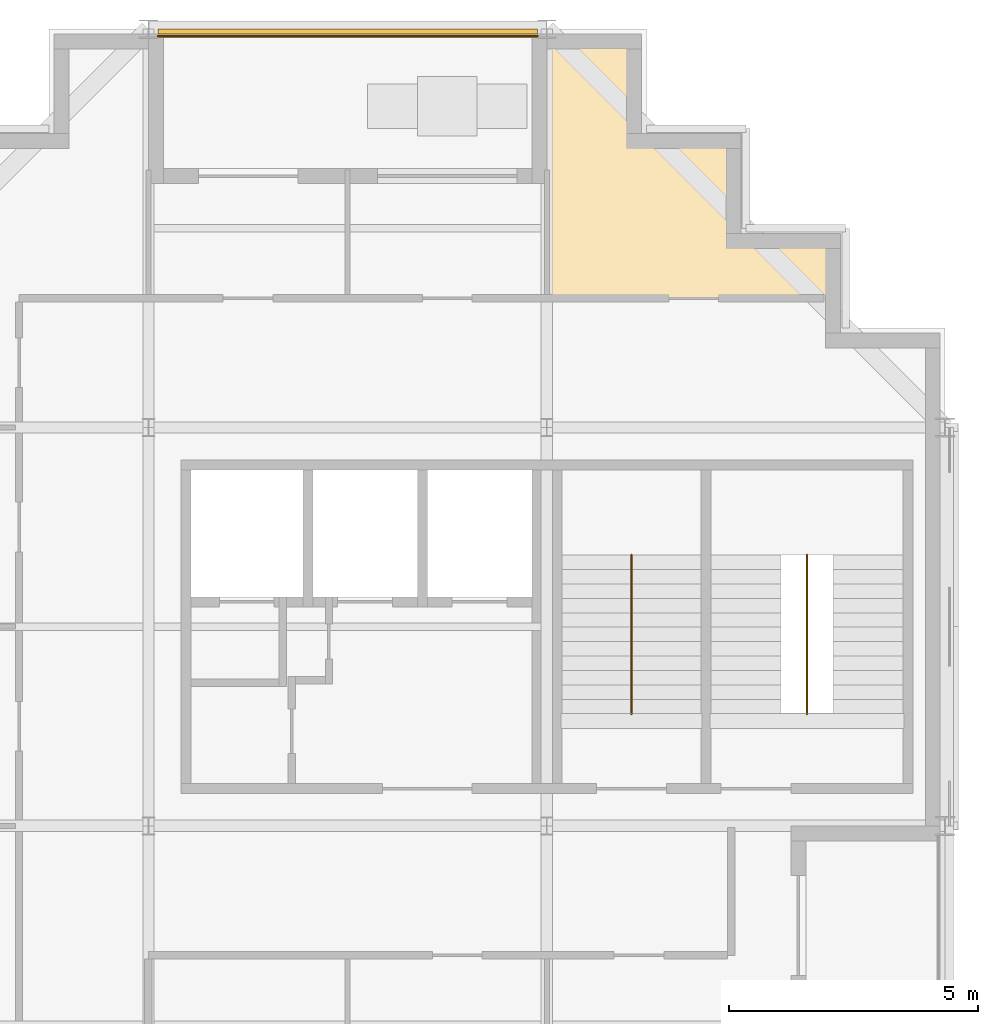
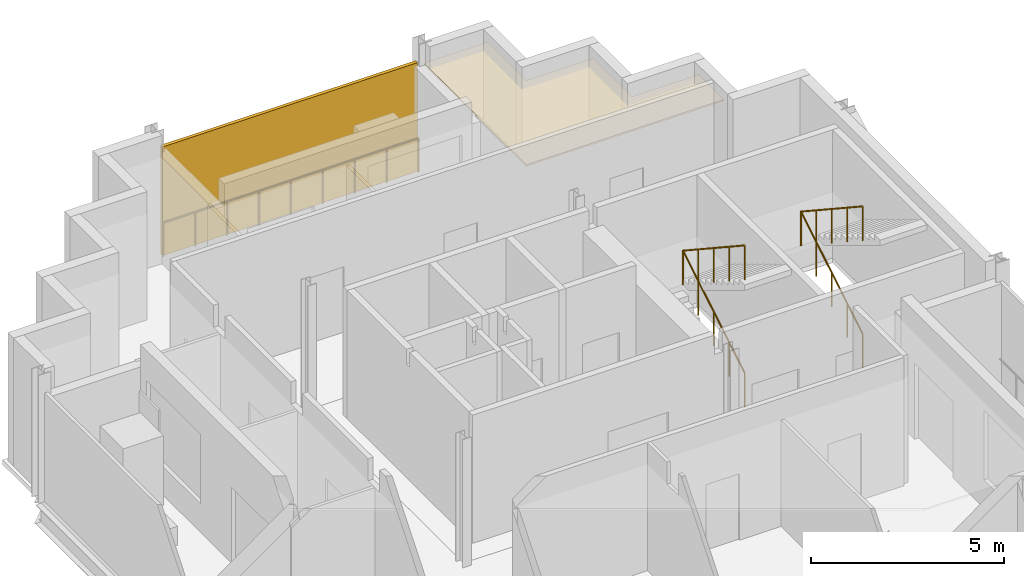
# One storey, part 12 of 13: 3 railings, 1 covering, 1 shading device.
"""IFC4 building model written with IfcOpenShell, lengths in metres."""

from ifc_helpers import new_model, si_unit, direction, frame, origin, origin_2d, place, context, subcontext, project, spatial, polyline, rectangle, circle, outline, extrude, material, layer, layer_set, type_object, element, save


model = new_model("IFC4")

# Units and contexts
model_context = context("Model", 3, precision=1e-05, world=origin(), true_north=direction((0.0, 1.0)))
body_context = subcontext(model_context, "Body", "Model", "MODEL_VIEW")
ifc_project = project(units=[si_unit("LENGTHUNIT", "METRE"), si_unit("AREAUNIT", "SQUARE_METRE"), si_unit("VOLUMEUNIT", "CUBIC_METRE"), si_unit("PLANEANGLEUNIT", "RADIAN"), si_unit("MASSUNIT", "GRAM", prefix="KILO")], contexts=[model_context])

# Site, building, storey
site_placement = place(None, origin())
site = spatial("IfcSite", under=ifc_project, at=site_placement, CompositionType="ELEMENT")
building_placement = place(site_placement, origin())
building = spatial("IfcBuilding", under=site, at=building_placement, Name="Immortelle Media Tower", CompositionType="ELEMENT")
storey_placement = place(building_placement, frame((0.0, 0.0, 174.60009765625)))
storey = spatial("IfcBuildingStorey", under=building, at=storey_placement, Name="L36", CompositionType="ELEMENT", Elevation=174.60009765625)

# Railing
ifc_material_1 = material(Name="Powder-coated aluminium fretwork panel, laminated glass backing", Category="aluminium")
railing_type_1 = type_object("IfcRailingType", Name="Fretwork balustrade 1100", PredefinedType="BALUSTRADE", material=ifc_material_1)
railing_placement = place(storey_placement, frame((15.8134765625, 47.860107421875, 0.0)))
element("IfcRailing", 1, at=railing_placement, inside=storey, type_object=railing_type_1, Name="Fretwork balustrade L36 N0", PredefinedType="BALUSTRADE", context=body_context, shape_type="SweptSolid", body=[
    extrude(circle(Radius=0.02490234375, at=origin_2d()), frame((0.0, 0.0, 1.0751953125), z_axis=(-1.0, 0.0, 0.0), x_axis=(0.0, -1.0, 0.0)), (0.0, 0.0, 1.0), 7.626953125),
    extrude(circle(Radius=0.02001953125, at=origin_2d()), origin(), (0.0, 0.0, 1.0), 1.050048828125),
    extrude(circle(Radius=0.02001953125, at=origin_2d()), frame((-0.953369140625, 0.0, 0.0)), (0.0, 0.0, 1.0), 1.050048828125),
    extrude(circle(Radius=0.02001953125, at=origin_2d()), frame((-1.90673828125, 0.0, 0.0)), (0.0, 0.0, 1.0), 1.050048828125),
    extrude(circle(Radius=0.02001953125, at=origin_2d()), frame((-2.860107421875, 0.0, 0.0)), (0.0, 0.0, 1.0), 1.050048828125),
    extrude(circle(Radius=0.02001953125, at=origin_2d()), frame((-3.8134765625, 0.0, 0.0)), (0.0, 0.0, 1.0), 1.050048828125),
    extrude(circle(Radius=0.02001953125, at=origin_2d()), frame((-4.766845703125, 0.0, 0.0)), (0.0, 0.0, 1.0), 1.050048828125),
    extrude(circle(Radius=0.02001953125, at=origin_2d()), frame((-5.72021484375, 0.0, 0.0)), (0.0, 0.0, 1.0), 1.050048828125),
    extrude(circle(Radius=0.02001953125, at=origin_2d()), frame((-6.673583984375, 0.0, 0.0)), (0.0, 0.0, 1.0), 1.050048828125),
    extrude(circle(Radius=0.02001953125, at=origin_2d()), frame((-7.626953125, 0.0, 0.0)), (0.0, 0.0, 1.0), 1.050048828125),
])

# Shading device
ifc_material_2 = material(Name="Pale aluminium louvre blades", Category="aluminium")
ifc_layer_1 = layer(ifc_material_2, 0.10009765625)
ifc_layer_set_1 = layer_set([ifc_layer_1], Name="Pale aluminium louvre blades")
shading_device_type = type_object("IfcShadingDeviceType", Name="Jalousie screen 100", PredefinedType="JALOUSIE", material=ifc_layer_set_1)
shading_device_placement = place(storey_placement, frame((12.0, 47.949951171875, 0.0), z_axis=(0.0, 0.0, 1.0), x_axis=(-1.0, 0.0, 0.0)))
element("IfcShadingDevice", 2, at=shading_device_placement, inside=storey, type_object=shading_device_type, Name="Jalousie screen L36 N0", PredefinedType="JALOUSIE", context=body_context, shape_type="SweptSolid", body=[
    extrude(rectangle(XDim=7.626953125, YDim=0.10009765625, at=origin_2d()), origin(), (0.0, 0.0, 1.0), 3.43798828125),
])

# Railings
ifc_material_3 = material(Name="Stainless steel AISI 316", Category="steel")
railing_type_2 = type_object("IfcRailingType", Name="Stair guard 1100", PredefinedType="GUARDRAIL", material=ifc_material_3)
for number, where, name in (
    (3, (17.699951171875, 34.25, 0.1748046875), "Stair guard NW1"),
    (4, (21.22509765625, 34.25, 0.1748046875), "Stair guard NW2"),
):
    element("IfcRailing", number, at=place(storey_placement, frame(where)), inside=storey, type_object=railing_type_2, Name=name, PredefinedType="GUARDRAIL", context=body_context, shape_type="SweptSolid", body=[
        extrude(circle(Radius=0.02392578125, at=origin_2d()), frame((0.0, 0.0, 1.076171875), z_axis=(0.0, 0.856177665481, 0.516681531633), x_axis=(-1.0, 0.0, 0.0)), (0.0, 0.0, 1.0), 3.725830078125),
        extrude(circle(Radius=0.02392578125, at=origin_2d()), frame((0.0, 3.18994140625, 3.0009765625), z_axis=(0.0, -0.835242474824, 0.549881812983), x_axis=(1.0, 0.0, 0.0)), (0.0, 0.0, 1.0), 3.819091796875),
        extrude(circle(Radius=0.02099609375, at=origin_2d()), origin(), (0.0, 0.0, 1.0), 1.052001953125),
        extrude(circle(Radius=0.02099609375, at=origin_2d()), frame((0.0, 0.79736328125, 0.481201171875)), (0.0, 0.0, 1.0), 1.052001953125),
        extrude(circle(Radius=0.02099609375, at=origin_2d()), frame((0.0, 1.594970703125, 0.96240234375)), (0.0, 0.0, 1.0), 1.052001953125),
        extrude(circle(Radius=0.02099609375, at=origin_2d()), frame((0.0, 2.392578125, 1.44384765625)), (0.0, 0.0, 1.0), 1.052001953125),
        extrude(circle(Radius=0.02099609375, at=origin_2d()), frame((0.0, 3.18994140625, 1.925048828125)), (0.0, 0.0, 1.0), 1.052001953125),
        extrude(circle(Radius=0.02099609375, at=origin_2d()), frame((0.0, 2.392578125, 2.4501953125)), (0.0, 0.0, 1.0), 1.052001953125),
        extrude(circle(Radius=0.02099609375, at=origin_2d()), frame((0.0, 1.594970703125, 2.97509765625)), (0.0, 0.0, 1.0), 1.052001953125),
        extrude(circle(Radius=0.02099609375, at=origin_2d()), frame((0.0, 0.79736328125, 3.5)), (0.0, 0.0, 1.0), 1.052001953125),
        extrude(circle(Radius=0.02099609375, at=origin_2d()), frame((0.0, 0.0, 4.025146484375)), (0.0, 0.0, 1.0), 1.052001953125),
    ])

# Covering
ifc_material_4 = material(Name="Mineral fibre tile ceiling")
ifc_layer_2 = layer(ifc_material_4, 0.050048828125)
ifc_layer_set_2 = layer_set([ifc_layer_2], Name="Mineral fibre tile ceiling")
covering_type = type_object("IfcCoveringType", Name="Suspended ceiling 50", PredefinedType="CEILING", material=ifc_layer_set_2)
covering_placement = place(storey_placement, frame((0.0, 0.0, 3.303955078125)))
element("IfcCovering", 5, at=covering_placement, inside=storey, type_object=covering_type, Name="Ceiling L36-022", PredefinedType="CEILING", context=body_context, shape_type="SweptSolid", body=[
    extrude(outline(polyline([(17.89990234375, 45.89990234375), (19.89990234375, 45.89990234375), (19.89990234375, 43.89990234375), (21.89990234375, 43.89990234375), (21.89990234375, 42.60009765625), (16.0, 42.60009765625), (16.0, 45.199951171875), (16.0, 47.89990234375), (17.89990234375, 47.89990234375), (17.89990234375, 45.89990234375)])), origin(), (0.0, 0.0, 1.0), 0.050048828125),
])

save(model, "model.ifc")
